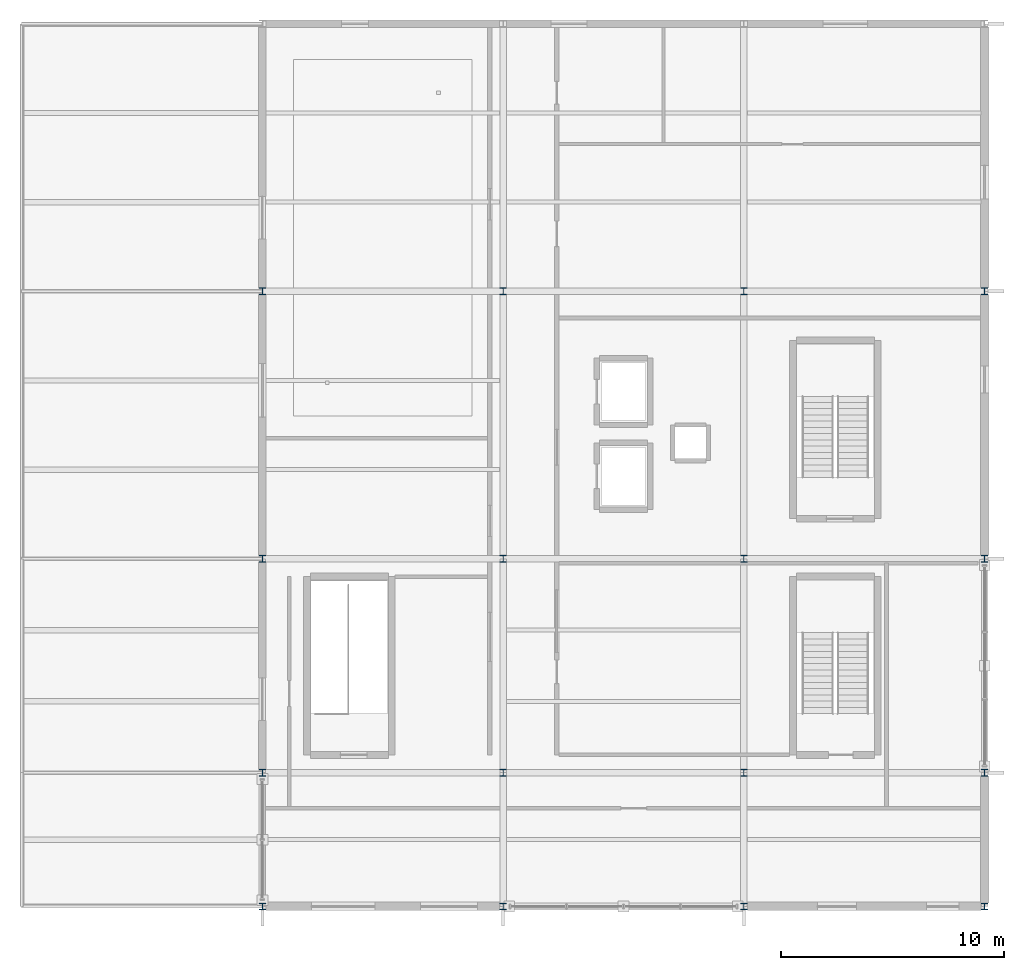
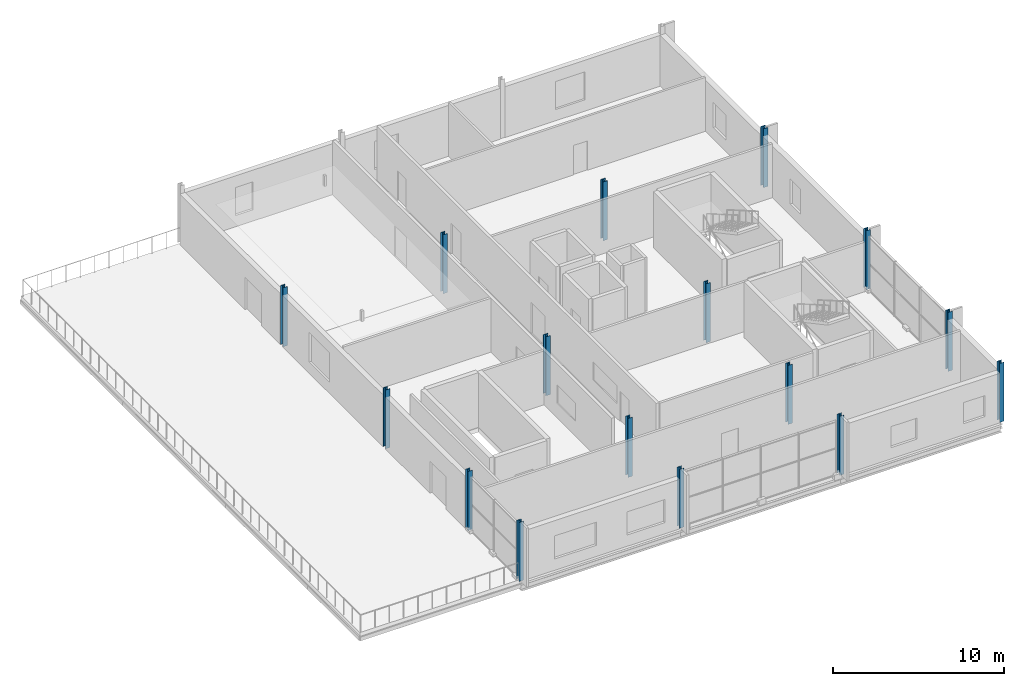
# One storey, part 1 of 13: 16 columns.
"""IFC4 building model written with IfcOpenShell, lengths in metres."""

from ifc_helpers import new_model, si_unit, direction, frame, origin, origin_2d, place, context, subcontext, project, spatial, i_section, extrude, material, material_profile, profile_set, type_object, element, save


model = new_model("IFC4")

# Units and contexts
model_context = context("Model", 3, precision=1e-05, world=origin(), true_north=direction((0.0, 1.0)))
body_context = subcontext(model_context, "Body", "Model", "MODEL_VIEW")
ifc_project = project(units=[si_unit("LENGTHUNIT", "METRE"), si_unit("AREAUNIT", "SQUARE_METRE"), si_unit("VOLUMEUNIT", "CUBIC_METRE"), si_unit("PLANEANGLEUNIT", "RADIAN"), si_unit("MASSUNIT", "GRAM", prefix="KILO")], contexts=[model_context])

# Site, building, storey
site_placement = place(None, origin())
site = spatial("IfcSite", under=ifc_project, at=site_placement, CompositionType="ELEMENT")
building_placement = place(site_placement, origin())
building = spatial("IfcBuilding", under=site, at=building_placement, Name="Merenkruunu Market Hall", CompositionType="ELEMENT")
storey_placement = place(building_placement, frame((0.0, 0.0, 14.39990234375)))
storey = spatial("IfcBuildingStorey", under=building, at=storey_placement, Name="L03", CompositionType="ELEMENT", Elevation=14.39990234375)

# Columns
ifc_material = material(Name="Steel S355J2", Category="steel")
ifc_material_profile = material_profile(ifc_material, i_section(OverallWidth=0.300048828125, OverallDepth=0.300048828125, WebThickness=0.010986328125, FlangeThickness=0.01904296875, FilletRadius=0.027099609375, at=origin_2d()), Name="HEB 300")
ifc_profile_set = profile_set([ifc_material_profile], Name="Steel S355J2")
column_type = type_object("IfcColumnType", Name="Structural Column C05", PredefinedType="COLUMN", material=ifc_profile_set)
for number, where, z_axis, x_axis, name in (
    (1, (159.60009765625, 0.0, 0.0), (0.0, 0.0, 1.0), (1.0, 0.0, 0.0), "COL-L03-R-01"),
    (2, (159.60009765625, 6.0, 0.0), (0.0, 0.0, 1.0), (1.0, 0.0, 0.0), "COL-L03-R-02"),
    (3, (159.60009765625, 15.60009765625, 0.0), (0.0, 0.0, 1.0), (1.0, 0.0, 0.0), "COL-L03-R-03"),
    (4, (159.60009765625, 27.60009765625, 0.0), (0.0, 0.0, 1.0), (1.0, 0.0, 0.0), "COL-L03-R-04"),
    (5, (170.39990234375, 0.0, 0.0), (0.0, 0.0, 1.0), (1.0, 0.0, 0.0), "COL-L03-S-01"),
    (6, (170.39990234375, 6.0, 0.0), (0.0, 0.0, 1.0), (1.0, 0.0, 0.0), "COL-L03-S-02"),
    (7, (170.39990234375, 15.60009765625, 0.0), (0.0, 0.0, 1.0), (1.0, 0.0, 0.0), "COL-L03-S-03"),
    (8, (170.39990234375, 27.60009765625, 0.0), (0.0, 0.0, 1.0), (1.0, 0.0, 0.0), "COL-L03-S-04"),
    (9, (181.199951171875, 0.0, 0.0), (0.0, 0.0, 1.0), (1.0, 0.0, 0.0), "COL-L03-T-01"),
    (10, (181.199951171875, 6.0, 0.0), (0.0, 0.0, 1.0), (1.0, 0.0, 0.0), "COL-L03-T-02"),
    (11, (181.199951171875, 15.60009765625, 0.0), (0.0, 0.0, 1.0), (1.0, 0.0, 0.0), "COL-L03-T-03"),
    (12, (181.199951171875, 27.60009765625, 0.0), (0.0, 0.0, 1.0), (1.0, 0.0, 0.0), "COL-L03-T-04"),
    (13, (192.0, 0.0, 0.0), (0.0, 0.0, 1.0), (1.0, 0.0, 0.0), "COL-L03-U-01"),
    (14, (192.0, 6.0, 0.0), (0.0, 0.0, 1.0), (1.0, 0.0, 0.0), "COL-L03-U-02"),
    (15, (192.0, 15.60009765625, 0.0), (0.0, 0.0, 1.0), (1.0, 0.0, 0.0), "COL-L03-U-03"),
    (16, (192.0, 27.60009765625, 0.0), (0.0, 0.0, 1.0), (1.0, 0.0, 0.0), "COL-L03-U-04"),
):
    element("IfcColumn", number, at=place(storey_placement, frame(where, z_axis=z_axis, x_axis=x_axis)), inside=storey, type_object=column_type, Name=name, PredefinedType="COLUMN", context=body_context, shape_type="SweptSolid", body=[
        extrude(i_section(OverallWidth=0.300048828125, OverallDepth=0.300048828125, WebThickness=0.010986328125, FlangeThickness=0.01904296875, FilletRadius=0.027099609375, at=origin_2d()), origin(), (0.0, 0.0, 1.0), 4.2001953125),
    ])

save(model, "model.ifc")
